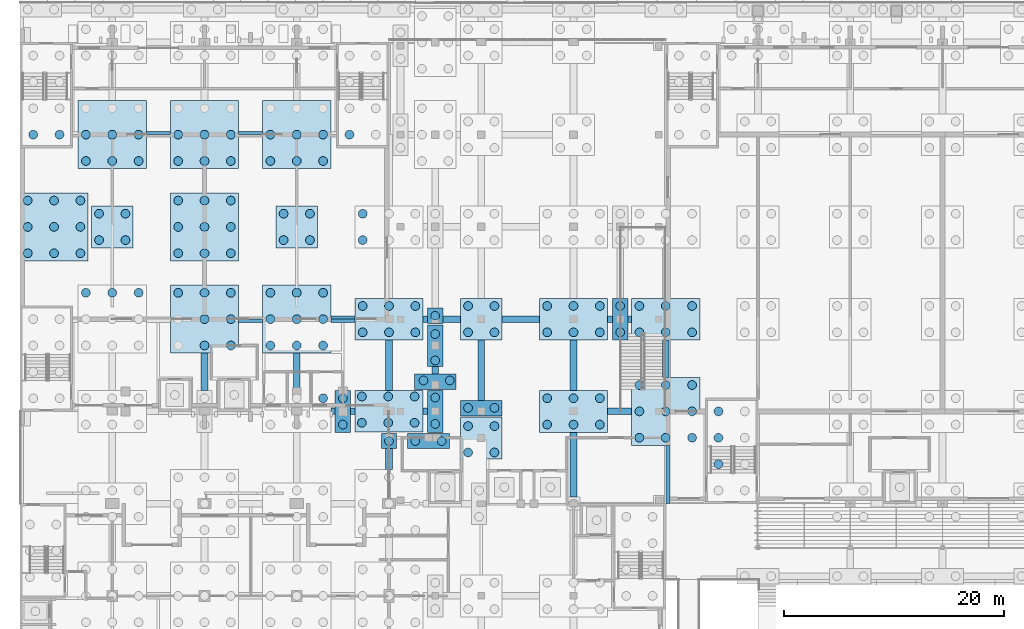
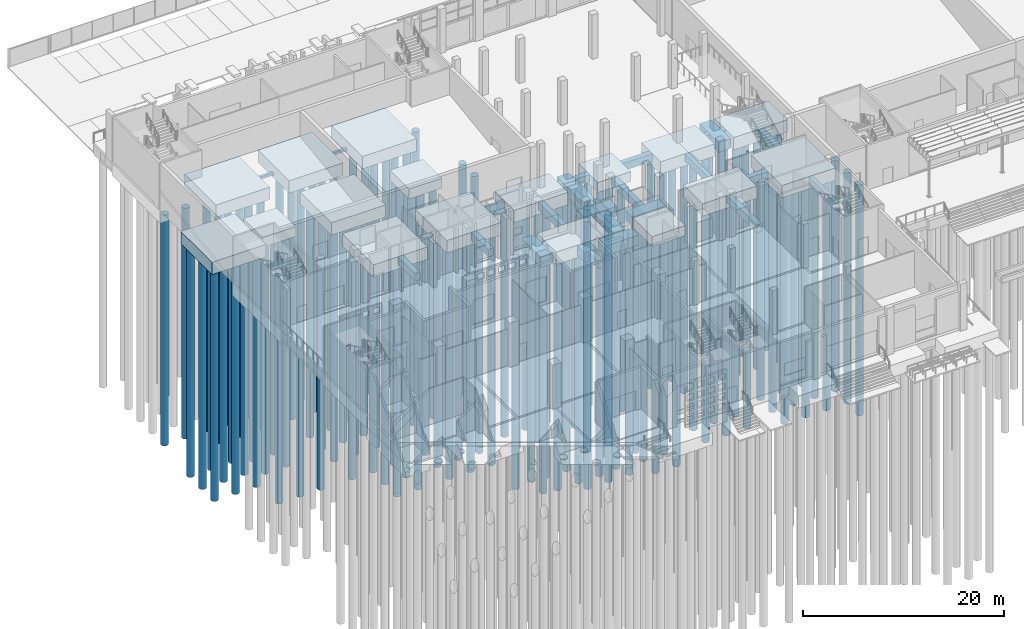
# One storey, part 3 of 129: 135 piles, 50 footings.
"""IFC4 building model written with IfcOpenShell, lengths in metres."""

from ifc_helpers import new_model, si_unit, direction, frame, origin, origin_2d, place, context, subcontext, project, spatial, rectangle, circle, extrude, material, material_profile, profile_set, type_object, element, save


model = new_model("IFC4")

# Units and contexts
model_context = context("Model", 3, precision=1e-05, world=origin(), true_north=direction((0.0, 1.0)))
body_context = subcontext(model_context, "Body", "Model", "MODEL_VIEW")
ifc_project = project(units=[si_unit("LENGTHUNIT", "METRE"), si_unit("AREAUNIT", "SQUARE_METRE"), si_unit("VOLUMEUNIT", "CUBIC_METRE"), si_unit("PLANEANGLEUNIT", "RADIAN"), si_unit("MASSUNIT", "GRAM", prefix="KILO")], contexts=[model_context])

# Site, building, storey
site_placement = place(None, origin())
site = spatial("IfcSite", under=ifc_project, at=site_placement, CompositionType="ELEMENT")
building_placement = place(site_placement, origin())
building = spatial("IfcBuilding", under=site, at=building_placement, Name="Kiln Court Media Centre", CompositionType="ELEMENT")
storey_placement = place(building_placement, origin())
storey = spatial("IfcBuildingStorey", under=building, at=storey_placement, Name="L00", CompositionType="ELEMENT", Elevation=0.0)

# Piles
ifc_material_1 = material(Name="Concrete C30/37", Category="concrete")
ifc_material_profile_1 = material_profile(ifc_material_1, circle(Radius=0.39990234375, at=origin_2d()), Name="PILE D800")
ifc_profile_set_1 = profile_set([ifc_material_profile_1], Name="Concrete C30/37")
pile_type_1 = type_object("IfcPileType", Name="Concrete C30/37 bored pile D800 cut-off -1.400 toe -29.400", PredefinedType="BORED", material=ifc_profile_set_1)
for number, where, z_axis, x_axis, name in (
    (1, (36.0, 30.89990234375, -1.39990234375), (0.0, 0.0, -1.0), (1.0, 0.0, 0.0), "L00-PI-1382"),
    (2, (38.39990234375, 30.89990234375, -1.39990234375), (0.0, 0.0, -1.0), (1.0, 0.0, 0.0), "L00-PI-1383"),
    (3, (33.60009765625, 30.90087890625, -1.39990234375), (0.0, 0.0, -1.0), (1.0, 0.0, 0.0), "L00-PI-1384"),
    (4, (40.800048828125, 29.861083984375, -1.39990234375), (0.0, 0.0, -1.0), (1.0, 0.0, 0.0), "L00-PI-1385"),
    (5, (43.199951171875, 29.861083984375, -1.39990234375), (0.0, 0.0, -1.0), (1.0, 0.0, 0.0), "L00-PI-1386"),
    (6, (40.800048828125, 32.260986328125, -1.39990234375), (0.0, 0.0, -1.0), (1.0, 0.0, 0.0), "L00-PI-1387"),
    (7, (43.199951171875, 32.260986328125, -1.39990234375), (0.0, 0.0, -1.0), (1.0, 0.0, 0.0), "L00-PI-1388"),
    (8, (29.39892578125, 32.39990234375, -1.39990234375), (0.0, 0.0, -1.0), (1.0, 0.0, 0.0), "L00-PI-1409"),
    (9, (29.39892578125, 34.800048828125, -1.39990234375), (0.0, 0.0, -1.0), (1.0, 0.0, 0.0), "L00-PI-1410"),
    (10, (37.801025390625, 32.4599609375, -1.39990234375), (0.0, 0.0, -1.0), (1.0, 0.0, 0.0), "L00-PI-1411"),
    (11, (37.801025390625, 34.860107421875, -1.39990234375), (0.0, 0.0, -1.0), (1.0, 0.0, 0.0), "L00-PI-1412"),
    (12, (40.800048828125, 33.919921875, -1.39990234375), (0.0, 0.0, -1.0), (1.0, 0.0, 0.0), "L00-PI-1458"),
    (13, (43.199951171875, 33.919921875, -1.39990234375), (0.0, 0.0, -1.0), (1.0, 0.0, 0.0), "L00-PI-1459"),
    (14, (36.739990234375, 36.419921875, -1.39990234375), (0.0, 0.0, -1.0), (1.0, 0.0, 0.0), "L00-PI-1462"),
    (15, (39.139892578125, 36.419921875, -1.39990234375), (0.0, 0.0, -1.0), (1.0, 0.0, 0.0), "L00-PI-1463"),
    (16, (37.800048828125, 38.239990234375, -1.39990234375), (0.0, 0.0, -1.0), (1.0, 0.0, 0.0), "L00-PI-1488"),
    (17, (37.800048828125, 40.639892578125, -1.39990234375), (0.0, 0.0, -1.0), (1.0, 0.0, 0.0), "L00-PI-1489"),
    (18, (40.800048828125, 40.800048828125, -1.39990234375), (0.0, 0.0, -1.0), (1.0, 0.0, 0.0), "L00-PI-1523"),
    (19, (43.199951171875, 40.800048828125, -1.39990234375), (0.0, 0.0, -1.0), (1.0, 0.0, 0.0), "L00-PI-1524"),
    (20, (40.800048828125, 43.199951171875, -1.39990234375), (0.0, 0.0, -1.0), (1.0, 0.0, 0.0), "L00-PI-1525"),
    (21, (43.199951171875, 43.199951171875, -1.39990234375), (0.0, 0.0, -1.0), (1.0, 0.0, 0.0), "L00-PI-1526"),
    (22, (54.65087890625, 40.800048828125, -1.39990234375), (0.0, 0.0, -1.0), (1.0, 0.0, 0.0), "L00-PI-1533"),
    (23, (54.65087890625, 43.199951171875, -1.39990234375), (0.0, 0.0, -1.0), (1.0, 0.0, 0.0), "L00-PI-1534"),
    (24, (37.801025390625, 42.300048828125, -1.39990234375), (0.0, 0.0, -1.0), (1.0, 0.0, 0.0), "L00-PI-1583"),
    (25, (7.199951171875, 49.199951171875, -1.39990234375), (0.0, 0.0, -1.0), (1.0, 0.0, 0.0), "L00-PI-1593"),
    (26, (9.60009765625, 49.199951171875, -1.39990234375), (0.0, 0.0, -1.0), (1.0, 0.0, 0.0), "L00-PI-1594"),
    (27, (7.199951171875, 51.60009765625, -1.39990234375), (0.0, 0.0, -1.0), (1.0, 0.0, 0.0), "L00-PI-1595"),
    (28, (9.60009765625, 51.60009765625, -1.39990234375), (0.0, 0.0, -1.0), (1.0, 0.0, 0.0), "L00-PI-1596"),
    (29, (24.0, 49.199951171875, -1.39990234375), (0.0, 0.0, -1.0), (1.0, 0.0, 0.0), "L00-PI-1606"),
    (30, (26.39990234375, 49.199951171875, -1.39990234375), (0.0, 0.0, -1.0), (1.0, 0.0, 0.0), "L00-PI-1607"),
    (31, (24.0, 51.60009765625, -1.39990234375), (0.0, 0.0, -1.0), (1.0, 0.0, 0.0), "L00-PI-1608"),
    (32, (26.39990234375, 51.60009765625, -1.39990234375), (0.0, 0.0, -1.0), (1.0, 0.0, 0.0), "L00-PI-1609"),
):
    element("IfcPile", number, at=place(storey_placement, frame(where, z_axis=z_axis, x_axis=x_axis)), inside=storey, type_object=pile_type_1, Name=name, PredefinedType="BORED", context=body_context, shape_type="SweptSolid", body=[
        extrude(circle(Radius=0.39990234375, at=origin_2d()), origin(), (0.0, 0.0, 1.0), 28.0),
    ])
ifc_material_2 = material(Name="Concrete C30/37", Category="concrete")
ifc_material_profile_2 = material_profile(ifc_material_2, circle(Radius=0.39990234375, at=origin_2d()), Name="PILE D800")
ifc_profile_set_2 = profile_set([ifc_material_profile_2], Name="Concrete C30/37")
pile_type_2 = type_object("IfcPileType", Name="Concrete C30/37 bored pile D800 cut-off -1.700 toe -29.700", PredefinedType="BORED", material=ifc_profile_set_2)
for number, where, z_axis, x_axis, name in (
    (33, (63.60009765625, 28.800048828125, -1.699951171875), (0.0, 0.0, -1.0), (1.0, 0.0, 0.0), "L00-PI-1368"),
    (34, (63.60009765625, 31.199951171875, -1.699951171875), (0.0, 0.0, -1.0), (1.0, 0.0, 0.0), "L00-PI-1370"),
    (35, (63.60009765625, 33.60009765625, -1.699951171875), (0.0, 0.0, -1.0), (1.0, 0.0, 0.0), "L00-PI-1372"),
    (36, (27.60009765625, 34.800048828125, -1.699951171875), (0.0, 0.0, -1.0), (1.0, 0.0, 0.0), "L00-PI-1408"),
    (37, (48.0, 32.39990234375, -1.699951171875), (0.0, 0.0, -1.0), (1.0, 0.0, 0.0), "L00-PI-1413"),
    (38, (50.39990234375, 32.39990234375, -1.699951171875), (0.0, 0.0, -1.0), (1.0, 0.0, 0.0), "L00-PI-1414"),
    (39, (52.800048828125, 32.39990234375, -1.699951171875), (0.0, 0.0, -1.0), (1.0, 0.0, 0.0), "L00-PI-1415"),
    (40, (48.0, 34.800048828125, -1.699951171875), (0.0, 0.0, -1.0), (1.0, 0.0, 0.0), "L00-PI-1416"),
    (41, (50.39990234375, 34.800048828125, -1.699951171875), (0.0, 0.0, -1.0), (1.0, 0.0, 0.0), "L00-PI-1417"),
    (42, (52.800048828125, 34.800048828125, -1.699951171875), (0.0, 0.0, -1.0), (1.0, 0.0, 0.0), "L00-PI-1418"),
    (43, (56.39990234375, 31.199951171875, -1.699951171875), (0.0, 0.0, -1.0), (1.0, 0.0, 0.0), "L00-PI-1419"),
    (44, (58.800048828125, 31.199951171875, -1.699951171875), (0.0, 0.0, -1.0), (1.0, 0.0, 0.0), "L00-PI-1420"),
    (45, (61.199951171875, 31.199951171875, -1.699951171875), (0.0, 0.0, -1.0), (1.0, 0.0, 0.0), "L00-PI-1421"),
    (46, (56.39990234375, 33.60009765625, -1.699951171875), (0.0, 0.0, -1.0), (1.0, 0.0, 0.0), "L00-PI-1422"),
    (47, (58.800048828125, 33.60009765625, -1.699951171875), (0.0, 0.0, -1.0), (1.0, 0.0, 0.0), "L00-PI-1423"),
    (48, (61.199951171875, 33.60009765625, -1.699951171875), (0.0, 0.0, -1.0), (1.0, 0.0, 0.0), "L00-PI-1424"),
    (49, (56.39990234375, 36.0, -1.699951171875), (0.0, 0.0, -1.0), (1.0, 0.0, 0.0), "L00-PI-1425"),
    (50, (58.800048828125, 36.0, -1.699951171875), (0.0, 0.0, -1.0), (1.0, 0.0, 0.0), "L00-PI-1426"),
    (51, (61.199951171875, 36.0, -1.699951171875), (0.0, 0.0, -1.0), (1.0, 0.0, 0.0), "L00-PI-1427"),
    (52, (31.1298828125, 32.56005859375, -1.699951171875), (0.0, 0.0, -1.0), (1.0, 0.0, 0.0), "L00-PI-1452"),
    (53, (33.530029296875, 32.56005859375, -1.699951171875), (0.0, 0.0, -1.0), (1.0, 0.0, 0.0), "L00-PI-1453"),
    (54, (35.929931640625, 32.56005859375, -1.699951171875), (0.0, 0.0, -1.0), (1.0, 0.0, 0.0), "L00-PI-1454"),
    (55, (31.1298828125, 34.9599609375, -1.699951171875), (0.0, 0.0, -1.0), (1.0, 0.0, 0.0), "L00-PI-1455"),
    (56, (33.530029296875, 34.9599609375, -1.699951171875), (0.0, 0.0, -1.0), (1.0, 0.0, 0.0), "L00-PI-1456"),
    (57, (35.929931640625, 34.9599609375, -1.699951171875), (0.0, 0.0, -1.0), (1.0, 0.0, 0.0), "L00-PI-1457"),
    (58, (6.0, 44.39990234375, -1.699951171875), (0.0, 0.0, -1.0), (1.0, 0.0, 0.0), "L00-PI-1496"),
    (59, (8.39990234375, 44.39990234375, -1.699951171875), (0.0, 0.0, -1.0), (1.0, 0.0, 0.0), "L00-PI-1497"),
    (60, (10.800048828125, 44.39990234375, -1.699951171875), (0.0, 0.0, -1.0), (1.0, 0.0, 0.0), "L00-PI-1498"),
    (61, (16.800048828125, 39.60009765625, -1.699951171875), (0.0, 0.0, -1.0), (1.0, 0.0, 0.0), "L00-PI-1500"),
    (62, (19.199951171875, 39.60009765625, -1.699951171875), (0.0, 0.0, -1.0), (1.0, 0.0, 0.0), "L00-PI-1501"),
    (63, (16.800048828125, 42.0, -1.699951171875), (0.0, 0.0, -1.0), (1.0, 0.0, 0.0), "L00-PI-1503"),
    (64, (19.199951171875, 42.0, -1.699951171875), (0.0, 0.0, -1.0), (1.0, 0.0, 0.0), "L00-PI-1504"),
    (65, (14.39990234375, 44.39990234375, -1.699951171875), (0.0, 0.0, -1.0), (1.0, 0.0, 0.0), "L00-PI-1505"),
    (66, (16.800048828125, 44.39990234375, -1.699951171875), (0.0, 0.0, -1.0), (1.0, 0.0, 0.0), "L00-PI-1506"),
    (67, (19.199951171875, 44.39990234375, -1.699951171875), (0.0, 0.0, -1.0), (1.0, 0.0, 0.0), "L00-PI-1507"),
    (68, (22.800048828125, 39.60009765625, -1.699951171875), (0.0, 0.0, -1.0), (1.0, 0.0, 0.0), "L00-PI-1508"),
    (69, (25.199951171875, 39.60009765625, -1.699951171875), (0.0, 0.0, -1.0), (1.0, 0.0, 0.0), "L00-PI-1509"),
    (70, (27.60009765625, 39.60009765625, -1.699951171875), (0.0, 0.0, -1.0), (1.0, 0.0, 0.0), "L00-PI-1510"),
    (71, (22.800048828125, 42.0, -1.699951171875), (0.0, 0.0, -1.0), (1.0, 0.0, 0.0), "L00-PI-1511"),
    (72, (25.199951171875, 42.0, -1.699951171875), (0.0, 0.0, -1.0), (1.0, 0.0, 0.0), "L00-PI-1512"),
    (73, (27.60009765625, 42.0, -1.699951171875), (0.0, 0.0, -1.0), (1.0, 0.0, 0.0), "L00-PI-1513"),
    (74, (22.800048828125, 44.39990234375, -1.699951171875), (0.0, 0.0, -1.0), (1.0, 0.0, 0.0), "L00-PI-1514"),
    (75, (25.199951171875, 44.39990234375, -1.699951171875), (0.0, 0.0, -1.0), (1.0, 0.0, 0.0), "L00-PI-1515"),
    (76, (27.60009765625, 44.39990234375, -1.699951171875), (0.0, 0.0, -1.0), (1.0, 0.0, 0.0), "L00-PI-1516"),
    (77, (31.199951171875, 40.800048828125, -1.699951171875), (0.0, 0.0, -1.0), (1.0, 0.0, 0.0), "L00-PI-1517"),
    (78, (33.60009765625, 40.800048828125, -1.699951171875), (0.0, 0.0, -1.0), (1.0, 0.0, 0.0), "L00-PI-1518"),
    (79, (36.0, 40.800048828125, -1.699951171875), (0.0, 0.0, -1.0), (1.0, 0.0, 0.0), "L00-PI-1519"),
    (80, (31.199951171875, 43.199951171875, -1.699951171875), (0.0, 0.0, -1.0), (1.0, 0.0, 0.0), "L00-PI-1520"),
    (81, (33.60009765625, 43.199951171875, -1.699951171875), (0.0, 0.0, -1.0), (1.0, 0.0, 0.0), "L00-PI-1521"),
    (82, (36.0, 43.199951171875, -1.699951171875), (0.0, 0.0, -1.0), (1.0, 0.0, 0.0), "L00-PI-1522"),
    (83, (48.0, 40.800048828125, -1.699951171875), (0.0, 0.0, -1.0), (1.0, 0.0, 0.0), "L00-PI-1527"),
    (84, (50.39990234375, 40.800048828125, -1.699951171875), (0.0, 0.0, -1.0), (1.0, 0.0, 0.0), "L00-PI-1528"),
    (85, (52.800048828125, 40.800048828125, -1.699951171875), (0.0, 0.0, -1.0), (1.0, 0.0, 0.0), "L00-PI-1529"),
    (86, (48.0, 43.199951171875, -1.699951171875), (0.0, 0.0, -1.0), (1.0, 0.0, 0.0), "L00-PI-1530"),
    (87, (50.39990234375, 43.199951171875, -1.699951171875), (0.0, 0.0, -1.0), (1.0, 0.0, 0.0), "L00-PI-1531"),
    (88, (52.800048828125, 43.199951171875, -1.699951171875), (0.0, 0.0, -1.0), (1.0, 0.0, 0.0), "L00-PI-1532"),
    (89, (56.39990234375, 40.800048828125, -1.699951171875), (0.0, 0.0, -1.0), (1.0, 0.0, 0.0), "L00-PI-1535"),
    (90, (58.800048828125, 40.800048828125, -1.699951171875), (0.0, 0.0, -1.0), (1.0, 0.0, 0.0), "L00-PI-1536"),
    (91, (61.199951171875, 40.800048828125, -1.699951171875), (0.0, 0.0, -1.0), (1.0, 0.0, 0.0), "L00-PI-1537"),
    (92, (56.39990234375, 43.199951171875, -1.699951171875), (0.0, 0.0, -1.0), (1.0, 0.0, 0.0), "L00-PI-1538"),
    (93, (58.800048828125, 43.199951171875, -1.699951171875), (0.0, 0.0, -1.0), (1.0, 0.0, 0.0), "L00-PI-1539"),
    (94, (61.199951171875, 43.199951171875, -1.699951171875), (0.0, 0.0, -1.0), (1.0, 0.0, 0.0), "L00-PI-1540"),
    (95, (0.699951171875, 48.0, -1.699951171875), (0.0, 0.0, -1.0), (1.0, 0.0, 0.0), "L00-PI-1584"),
    (96, (3.10009765625, 48.0, -1.699951171875), (0.0, 0.0, -1.0), (1.0, 0.0, 0.0), "L00-PI-1585"),
    (97, (5.5, 48.0, -1.699951171875), (0.0, 0.0, -1.0), (1.0, 0.0, 0.0), "L00-PI-1586"),
    (98, (0.699951171875, 50.39990234375, -1.699951171875), (0.0, 0.0, -1.0), (1.0, 0.0, 0.0), "L00-PI-1587"),
    (99, (3.10009765625, 50.39990234375, -1.699951171875), (0.0, 0.0, -1.0), (1.0, 0.0, 0.0), "L00-PI-1588"),
    (100, (5.5, 50.39990234375, -1.699951171875), (0.0, 0.0, -1.0), (1.0, 0.0, 0.0), "L00-PI-1589"),
    (101, (0.699951171875, 52.800048828125, -1.699951171875), (0.0, 0.0, -1.0), (1.0, 0.0, 0.0), "L00-PI-1590"),
    (102, (3.10009765625, 52.800048828125, -1.699951171875), (0.0, 0.0, -1.0), (1.0, 0.0, 0.0), "L00-PI-1591"),
    (103, (5.5, 52.800048828125, -1.699951171875), (0.0, 0.0, -1.0), (1.0, 0.0, 0.0), "L00-PI-1592"),
    (104, (14.39990234375, 48.0, -1.699951171875), (0.0, 0.0, -1.0), (1.0, 0.0, 0.0), "L00-PI-1597"),
    (105, (16.800048828125, 48.0, -1.699951171875), (0.0, 0.0, -1.0), (1.0, 0.0, 0.0), "L00-PI-1598"),
    (106, (19.199951171875, 48.0, -1.699951171875), (0.0, 0.0, -1.0), (1.0, 0.0, 0.0), "L00-PI-1599"),
    (107, (14.39990234375, 50.39990234375, -1.699951171875), (0.0, 0.0, -1.0), (1.0, 0.0, 0.0), "L00-PI-1600"),
    (108, (16.800048828125, 50.39990234375, -1.699951171875), (0.0, 0.0, -1.0), (1.0, 0.0, 0.0), "L00-PI-1601"),
    (109, (19.199951171875, 50.39990234375, -1.699951171875), (0.0, 0.0, -1.0), (1.0, 0.0, 0.0), "L00-PI-1602"),
    (110, (14.39990234375, 52.800048828125, -1.699951171875), (0.0, 0.0, -1.0), (1.0, 0.0, 0.0), "L00-PI-1603"),
    (111, (16.800048828125, 52.800048828125, -1.699951171875), (0.0, 0.0, -1.0), (1.0, 0.0, 0.0), "L00-PI-1604"),
    (112, (19.199951171875, 52.800048828125, -1.699951171875), (0.0, 0.0, -1.0), (1.0, 0.0, 0.0), "L00-PI-1605"),
    (113, (31.199951171875, 49.199951171875, -1.699951171875), (0.0, 0.0, -1.0), (1.0, 0.0, 0.0), "L00-PI-1610"),
    (114, (31.199951171875, 51.60009765625, -1.699951171875), (0.0, 0.0, -1.0), (1.0, 0.0, 0.0), "L00-PI-1613"),
    (115, (6.0, 56.39990234375, -1.699951171875), (0.0, 0.0, -1.0), (1.0, 0.0, 0.0), "L00-PI-1684"),
    (116, (8.39990234375, 56.39990234375, -1.699951171875), (0.0, 0.0, -1.0), (1.0, 0.0, 0.0), "L00-PI-1685"),
    (117, (10.800048828125, 56.39990234375, -1.699951171875), (0.0, 0.0, -1.0), (1.0, 0.0, 0.0), "L00-PI-1686"),
    (118, (6.0, 58.800048828125, -1.699951171875), (0.0, 0.0, -1.0), (1.0, 0.0, 0.0), "L00-PI-1687"),
    (119, (8.39990234375, 58.800048828125, -1.699951171875), (0.0, 0.0, -1.0), (1.0, 0.0, 0.0), "L00-PI-1688"),
    (120, (10.800048828125, 58.800048828125, -1.699951171875), (0.0, 0.0, -1.0), (1.0, 0.0, 0.0), "L00-PI-1689"),
    (121, (14.39990234375, 56.39990234375, -1.699951171875), (0.0, 0.0, -1.0), (1.0, 0.0, 0.0), "L00-PI-1693"),
    (122, (16.800048828125, 56.39990234375, -1.699951171875), (0.0, 0.0, -1.0), (1.0, 0.0, 0.0), "L00-PI-1694"),
    (123, (19.199951171875, 56.39990234375, -1.699951171875), (0.0, 0.0, -1.0), (1.0, 0.0, 0.0), "L00-PI-1695"),
    (124, (14.39990234375, 58.800048828125, -1.699951171875), (0.0, 0.0, -1.0), (1.0, 0.0, 0.0), "L00-PI-1696"),
    (125, (16.800048828125, 58.800048828125, -1.699951171875), (0.0, 0.0, -1.0), (1.0, 0.0, 0.0), "L00-PI-1697"),
    (126, (19.199951171875, 58.800048828125, -1.699951171875), (0.0, 0.0, -1.0), (1.0, 0.0, 0.0), "L00-PI-1698"),
    (127, (22.800048828125, 56.39990234375, -1.699951171875), (0.0, 0.0, -1.0), (1.0, 0.0, 0.0), "L00-PI-1702"),
    (128, (25.199951171875, 56.39990234375, -1.699951171875), (0.0, 0.0, -1.0), (1.0, 0.0, 0.0), "L00-PI-1703"),
    (129, (27.60009765625, 56.39990234375, -1.699951171875), (0.0, 0.0, -1.0), (1.0, 0.0, 0.0), "L00-PI-1704"),
    (130, (22.800048828125, 58.800048828125, -1.699951171875), (0.0, 0.0, -1.0), (1.0, 0.0, 0.0), "L00-PI-1705"),
    (131, (25.199951171875, 58.800048828125, -1.699951171875), (0.0, 0.0, -1.0), (1.0, 0.0, 0.0), "L00-PI-1706"),
    (132, (27.60009765625, 58.800048828125, -1.699951171875), (0.0, 0.0, -1.0), (1.0, 0.0, 0.0), "L00-PI-1707"),
    (133, (1.199951171875, 58.800048828125, -1.699951171875), (0.0, 0.0, -1.0), (1.0, 0.0, 0.0), "L00-PI-1769"),
    (134, (3.60009765625, 58.800048828125, -1.699951171875), (0.0, 0.0, -1.0), (1.0, 0.0, 0.0), "L00-PI-1770"),
    (135, (30.0, 58.800048828125, -1.699951171875), (0.0, 0.0, -1.0), (1.0, 0.0, 0.0), "L00-PI-1777"),
):
    element("IfcPile", number, at=place(storey_placement, frame(where, z_axis=z_axis, x_axis=x_axis)), inside=storey, type_object=pile_type_2, Name=name, PredefinedType="BORED", context=body_context, shape_type="SweptSolid", body=[
        extrude(circle(Radius=0.39990234375, at=origin_2d()), origin(), (0.0, 0.0, 1.0), 28.0),
    ])

# Footings
ifc_material_3 = material(Name="Concrete C30/37", Category="concrete")
footing_type_1 = type_object("IfcFootingType", Name="Concrete C30/37 ground beam 600x900", PredefinedType="STRIP_FOOTING", material=ifc_material_3)
footing_1_placement = place(storey_placement, frame((33.60009765625, 29.25048828125, -1.199951171875), z_axis=(0.0, 0.0, 1.0), x_axis=(1.0, 0.0, 0.0)))
element("IfcFooting", 136, at=footing_1_placement, inside=storey, type_object=footing_type_1, Name="L00-FT-1300", PredefinedType="STRIP_FOOTING", context=body_context, shape_type="SweptSolid", body=[
    extrude(rectangle(XDim=0.60009765625, YDim=1.90087890625, at=origin_2d()), origin(), (0.0, 0.0, 1.0), 0.89990234375),
])
footing_2_placement = place(storey_placement, frame((50.39990234375, 28.75, -1.199951171875), z_axis=(0.0, 0.0, 1.0), x_axis=(1.0, 0.0, 0.0)))
element("IfcFooting", 137, at=footing_2_placement, inside=storey, type_object=footing_type_1, Name="L00-FT-1301", PredefinedType="STRIP_FOOTING", context=body_context, shape_type="SweptSolid", body=[
    extrude(rectangle(XDim=0.60009765625, YDim=5.89990234375, at=origin_2d()), origin(), (0.0, 0.0, 1.0), 0.89990234375),
])
footing_3_placement = place(storey_placement, frame((28.49951171875, 33.60009765625, -1.199951171875), z_axis=(0.0, 0.0, 1.0), x_axis=(1.0, 0.0, 0.0)))
element("IfcFooting", 138, at=footing_3_placement, inside=storey, type_object=footing_type_1, Name="L00-FT-1314", PredefinedType="STRIP_FOOTING", context=body_context, shape_type="SweptSolid", body=[
    extrude(rectangle(XDim=0.39892578125, YDim=0.60009765625, at=origin_2d()), origin(), (0.0, 0.0, 1.0), 0.89990234375),
])
for number, where, z_axis, x_axis, name in (
    (139, (30.299560546875, 33.60009765625, -1.199951171875), (0.0, 0.0, 1.0), (1.0, 0.0, 0.0), "L00-FT-1315"),
    (140, (36.900390625, 33.60009765625, -1.199951171875), (0.0, 0.0, 1.0), (1.0, 0.0, 0.0), "L00-FT-1316"),
):
    element("IfcFooting", number, at=place(storey_placement, frame(where, z_axis=z_axis, x_axis=x_axis)), inside=storey, type_object=footing_type_1, Name=name, PredefinedType="STRIP_FOOTING", context=body_context, shape_type="SweptSolid", body=[
        extrude(rectangle(XDim=0.40087890625, YDim=0.60009765625, at=origin_2d()), origin(), (0.0, 0.0, 1.0), 0.89990234375),
    ])
footing_4_placement = place(storey_placement, frame((54.60009765625, 33.60009765625, -1.199951171875), z_axis=(0.0, 0.0, 1.0), x_axis=(1.0, 0.0, 0.0)))
element("IfcFooting", 141, at=footing_4_placement, inside=storey, type_object=footing_type_1, Name="L00-FT-1317", PredefinedType="STRIP_FOOTING", context=body_context, shape_type="SweptSolid", body=[
    extrude(rectangle(XDim=2.199951171875, YDim=0.60009765625, at=origin_2d()), origin(), (0.0, 0.0, 1.0), 0.89990234375),
])
for number, where, z_axis, x_axis, name in (
    (142, (16.800048828125, 37.199951171875, -1.199951171875), (0.0, 0.0, 1.0), (1.0, 0.0, 0.0), "L00-FT-1321"),
    (143, (25.199951171875, 37.199951171875, -1.199951171875), (0.0, 0.0, 1.0), (1.0, 0.0, 0.0), "L00-FT-1322"),
):
    element("IfcFooting", number, at=place(storey_placement, frame(where, z_axis=z_axis, x_axis=x_axis)), inside=storey, type_object=footing_type_1, Name=name, PredefinedType="STRIP_FOOTING", context=body_context, shape_type="SweptSolid", body=[
        extrude(rectangle(XDim=0.60009765625, YDim=3.39990234375, at=origin_2d()), origin(), (0.0, 0.0, 1.0), 0.89990234375),
    ])
footing_5_placement = place(storey_placement, frame((50.39990234375, 37.800048828125, -1.199951171875), z_axis=(0.0, 0.0, 1.0), x_axis=(1.0, 0.0, 0.0)))
element("IfcFooting", 144, at=footing_5_placement, inside=storey, type_object=footing_type_1, Name="L00-FT-1323", PredefinedType="STRIP_FOOTING", context=body_context, shape_type="SweptSolid", body=[
    extrude(rectangle(XDim=0.60009765625, YDim=4.60009765625, at=origin_2d()), origin(), (0.0, 0.0, 1.0), 0.89990234375),
])
footing_6_placement = place(storey_placement, frame((58.800048828125, 38.39990234375, -1.199951171875), z_axis=(0.0, 0.0, 1.0), x_axis=(1.0, 0.0, 0.0)))
element("IfcFooting", 145, at=footing_6_placement, inside=storey, type_object=footing_type_1, Name="L00-FT-1324", PredefinedType="STRIP_FOOTING", context=body_context, shape_type="SweptSolid", body=[
    extrude(rectangle(XDim=0.60009765625, YDim=3.39990234375, at=origin_2d()), origin(), (0.0, 0.0, 1.0), 0.89990234375),
])
footing_7_placement = place(storey_placement, frame((33.60009765625, 37.81005859375, -1.199951171875), z_axis=(0.0, 0.0, 1.0), x_axis=(1.0, 0.0, 0.0)))
element("IfcFooting", 146, at=footing_7_placement, inside=storey, type_object=footing_type_1, Name="L00-FT-1328", PredefinedType="STRIP_FOOTING", context=body_context, shape_type="SweptSolid", body=[
    extrude(rectangle(XDim=0.60009765625, YDim=4.580078125, at=origin_2d()), origin(), (0.0, 0.0, 1.0), 0.89990234375),
])
footing_8_placement = place(storey_placement, frame((42.0, 37.35009765625, -1.199951171875), z_axis=(0.0, 0.0, 1.0), x_axis=(1.0, 0.0, 0.0)))
element("IfcFooting", 147, at=footing_8_placement, inside=storey, type_object=footing_type_1, Name="L00-FT-1329", PredefinedType="STRIP_FOOTING", context=body_context, shape_type="SweptSolid", body=[
    extrude(rectangle(XDim=0.60009765625, YDim=5.5, at=origin_2d()), origin(), (0.0, 0.0, 1.0), 0.89990234375),
])
footing_9_placement = place(storey_placement, frame((37.800048828125, 37.340087890625, -1.199951171875), z_axis=(0.0, 0.0, 1.0), x_axis=(1.0, 0.0, 0.0)))
element("IfcFooting", 148, at=footing_9_placement, inside=storey, type_object=footing_type_1, Name="L00-FT-1330", PredefinedType="STRIP_FOOTING", context=body_context, shape_type="SweptSolid", body=[
    extrude(rectangle(XDim=0.60009765625, YDim=0.679931640625, at=origin_2d()), origin(), (0.0, 0.0, 1.0), 0.89990234375),
])
footing_10_placement = place(storey_placement, frame((29.39990234375, 42.14990234375, -1.199951171875), z_axis=(0.0, 0.0, 1.0), x_axis=(1.0, 0.0, 0.0)))
element("IfcFooting", 149, at=footing_10_placement, inside=storey, type_object=footing_type_1, Name="L00-FT-1331", PredefinedType="STRIP_FOOTING", context=body_context, shape_type="SweptSolid", body=[
    extrude(rectangle(XDim=2.199951171875, YDim=0.300048828125, at=origin_2d()), origin(), (0.0, 0.0, 1.0), 0.89990234375),
])
footing_11_placement = place(storey_placement, frame((36.900390625, 42.0, -1.199951171875), z_axis=(0.0, 0.0, 1.0), x_axis=(1.0, 0.0, 0.0)))
element("IfcFooting", 150, at=footing_11_placement, inside=storey, type_object=footing_type_1, Name="L00-FT-1332", PredefinedType="STRIP_FOOTING", context=body_context, shape_type="SweptSolid", body=[
    extrude(rectangle(XDim=0.40087890625, YDim=0.60009765625, at=origin_2d()), origin(), (0.0, 0.0, 1.0), 0.89990234375),
])
footing_12_placement = place(storey_placement, frame((39.300537109375, 42.0, -1.199951171875), z_axis=(0.0, 0.0, 1.0), x_axis=(1.0, 0.0, 0.0)))
element("IfcFooting", 151, at=footing_12_placement, inside=storey, type_object=footing_type_1, Name="L00-FT-1333", PredefinedType="STRIP_FOOTING", context=body_context, shape_type="SweptSolid", body=[
    extrude(rectangle(XDim=1.59912109375, YDim=0.60009765625, at=origin_2d()), origin(), (0.0, 0.0, 1.0), 0.89990234375),
])
footing_13_placement = place(storey_placement, frame((45.60009765625, 42.0, -1.199951171875), z_axis=(0.0, 0.0, 1.0), x_axis=(1.0, 0.0, 0.0)))
element("IfcFooting", 152, at=footing_13_placement, inside=storey, type_object=footing_type_1, Name="L00-FT-1334", PredefinedType="STRIP_FOOTING", context=body_context, shape_type="SweptSolid", body=[
    extrude(rectangle(XDim=3.39990234375, YDim=0.60009765625, at=origin_2d()), origin(), (0.0, 0.0, 1.0), 0.89990234375),
])
footing_14_placement = place(storey_placement, frame((53.7255859375, 42.0, -1.199951171875), z_axis=(0.0, 0.0, 1.0), x_axis=(1.0, 0.0, 0.0)))
element("IfcFooting", 153, at=footing_14_placement, inside=storey, type_object=footing_type_1, Name="L00-FT-1335", PredefinedType="STRIP_FOOTING", context=body_context, shape_type="SweptSolid", body=[
    extrude(rectangle(XDim=0.450927734375, YDim=0.60009765625, at=origin_2d()), origin(), (0.0, 0.0, 1.0), 0.89990234375),
])
footing_15_placement = place(storey_placement, frame((55.525390625, 42.0, -1.199951171875), z_axis=(0.0, 0.0, 1.0), x_axis=(1.0, 0.0, 0.0)))
element("IfcFooting", 154, at=footing_15_placement, inside=storey, type_object=footing_type_1, Name="L00-FT-1336", PredefinedType="STRIP_FOOTING", context=body_context, shape_type="SweptSolid", body=[
    extrude(rectangle(XDim=0.34912109375, YDim=0.60009765625, at=origin_2d()), origin(), (0.0, 0.0, 1.0), 0.89990234375),
])
ifc_material_4 = material(Name="Concrete C30/37", Category="concrete")
footing_type_2 = type_object("IfcFootingType", Name="Concrete C30/37 pile cap 1400x1400x1200", PredefinedType="PILE_CAP", material=ifc_material_4)
for number, where, z_axis, x_axis, name in (
    (155, (33.60009765625, 30.90087890625, -1.5), (0.0, 0.0, 1.0), (1.0, 0.0, 0.0), "L00-FT-1091"),
    (156, (37.801025390625, 42.300048828125, -1.5), (0.0, 0.0, 1.0), (1.0, 0.0, 0.0), "L00-FT-1139"),
):
    element("IfcFooting", number, at=place(storey_placement, frame(where, z_axis=z_axis, x_axis=x_axis)), inside=storey, type_object=footing_type_2, Name=name, PredefinedType="PILE_CAP", context=body_context, shape_type="SweptSolid", body=[
        extrude(rectangle(XDim=1.39990234375, YDim=1.39990234375, at=origin_2d()), origin(), (0.0, 0.0, 1.0), 1.199951171875),
    ])
ifc_material_5 = material(Name="Concrete C30/37", Category="concrete")
footing_type_3 = type_object("IfcFootingType", Name="Concrete C30/37 pile cap 1400x3800x1200", PredefinedType="PILE_CAP", material=ifc_material_5)
for number, where, z_axis, x_axis, name in (
    (157, (29.39892578125, 33.60009765625, -1.5), (0.0, 0.0, 1.0), (1.0, 0.0, 0.0), "L00-FT-1099"),
    (158, (37.801025390625, 33.60009765625, -1.5), (0.0, 0.0, 1.0), (1.0, 0.0, 0.0), "L00-FT-1100"),
    (159, (37.800048828125, 39.580078125, -1.5), (0.0, 0.0, 1.0), (1.0, 0.0, 0.0), "L00-FT-1118"),
    (160, (54.65087890625, 42.0, -1.5), (0.0, 0.0, 1.0), (1.0, 0.0, 0.0), "L00-FT-1125"),
):
    element("IfcFooting", number, at=place(storey_placement, frame(where, z_axis=z_axis, x_axis=x_axis)), inside=storey, type_object=footing_type_3, Name=name, PredefinedType="PILE_CAP", context=body_context, shape_type="SweptSolid", body=[
        extrude(rectangle(XDim=1.39990234375, YDim=3.800048828125, at=origin_2d()), origin(), (0.0, 0.0, 1.0), 1.199951171875),
    ])
ifc_material_6 = material(Name="Concrete C30/37", Category="concrete")
footing_type_4 = type_object("IfcFootingType", Name="Concrete C30/37 pile cap 3800x1400x1200", PredefinedType="PILE_CAP", material=ifc_material_6)
for number, where, z_axis, x_axis, name in (
    (161, (37.199951171875, 30.89990234375, -1.5), (0.0, 0.0, 1.0), (1.0, 0.0, 0.0), "L00-FT-1090"),
    (162, (42.0, 33.89990234375, -1.5), (0.0, 0.0, 1.0), (1.0, 0.0, 0.0), "L00-FT-1111"),
    (163, (37.800048828125, 36.300048828125, -1.5), (0.0, 0.0, 1.0), (1.0, 0.0, 0.0), "L00-FT-1114"),
):
    element("IfcFooting", number, at=place(storey_placement, frame(where, z_axis=z_axis, x_axis=x_axis)), inside=storey, type_object=footing_type_4, Name=name, PredefinedType="PILE_CAP", context=body_context, shape_type="SweptSolid", body=[
        extrude(rectangle(XDim=3.800048828125, YDim=1.39990234375, at=origin_2d()), origin(), (0.0, 0.0, 1.0), 1.199951171875),
    ])
ifc_material_7 = material(Name="Concrete C30/37", Category="concrete")
footing_type_5 = type_object("IfcFootingType", Name="Concrete C30/37 pile cap 3800x3800x1200", PredefinedType="PILE_CAP", material=ifc_material_7)
for number, where, z_axis, x_axis, name in (
    (164, (42.0, 31.180908203125, -1.5), (0.0, 0.0, 1.0), (1.0, 0.0, 0.0), "L00-FT-1092"),
    (165, (42.0, 42.0, -1.5), (0.0, 0.0, 1.0), (1.0, 0.0, 0.0), "L00-FT-1123"),
    (166, (8.39990234375, 50.39990234375, -1.5), (0.0, 0.0, 1.0), (1.0, 0.0, 0.0), "L00-FT-1141"),
    (167, (25.199951171875, 50.39990234375, -1.5), (0.0, 0.0, 1.0), (1.0, 0.0, 0.0), "L00-FT-1143"),
):
    element("IfcFooting", number, at=place(storey_placement, frame(where, z_axis=z_axis, x_axis=x_axis)), inside=storey, type_object=footing_type_5, Name=name, PredefinedType="PILE_CAP", context=body_context, shape_type="SweptSolid", body=[
        extrude(rectangle(XDim=3.800048828125, YDim=3.800048828125, at=origin_2d()), origin(), (0.0, 0.0, 1.0), 1.199951171875),
    ])
ifc_material_8 = material(Name="Concrete C30/37", Category="concrete")
footing_type_6 = type_object("IfcFootingType", Name="Concrete C30/37 pile cap 6200x3800x1500", PredefinedType="PILE_CAP", material=ifc_material_8)
for number, where, z_axis, x_axis, name in (
    (168, (50.39990234375, 33.60009765625, -1.800048828125), (0.0, 0.0, 1.0), (1.0, 0.0, 0.0), "L00-FT-1101"),
    (169, (33.60009765625, 33.6201171875, -1.800048828125), (0.0, 0.0, 1.0), (1.0, 0.0, 0.0), "L00-FT-1110"),
    (170, (33.60009765625, 42.0, -1.800048828125), (0.0, 0.0, 1.0), (1.0, 0.0, 0.0), "L00-FT-1122"),
    (171, (50.39990234375, 42.0, -1.800048828125), (0.0, 0.0, 1.0), (1.0, 0.0, 0.0), "L00-FT-1124"),
    (172, (58.800048828125, 42.0, -1.800048828125), (0.0, 0.0, 1.0), (1.0, 0.0, 0.0), "L00-FT-1126"),
):
    element("IfcFooting", number, at=place(storey_placement, frame(where, z_axis=z_axis, x_axis=x_axis)), inside=storey, type_object=footing_type_6, Name=name, PredefinedType="PILE_CAP", context=body_context, shape_type="SweptSolid", body=[
        extrude(rectangle(XDim=6.199951171875, YDim=3.800048828125, at=origin_2d()), origin(), (0.0, 0.0, 1.0), 1.5),
    ])
ifc_material_9 = material(Name="Concrete C30/37", Category="concrete")
footing_type_7 = type_object("IfcFootingType", Name="Concrete C30/37 pile cap 6200x6200x1500", PredefinedType="PILE_CAP", material=ifc_material_9)
for number, where, z_axis, x_axis, name in (
    (173, (58.800048828125, 33.60009765625, -1.800048828125), (0.0, 0.0, 1.0), (1.0, 0.0, 0.0), "L00-FT-1102"),
    (174, (16.800048828125, 42.0, -1.800048828125), (0.0, 0.0, 1.0), (1.0, 0.0, 0.0), "L00-FT-1120"),
    (175, (25.199951171875, 42.0, -1.800048828125), (0.0, 0.0, 1.0), (1.0, 0.0, 0.0), "L00-FT-1121"),
    (176, (3.100341796875, 50.39990234375, -1.800048828125), (0.0, 0.0, 1.0), (1.0, 0.0, 0.0), "L00-FT-1140"),
    (177, (16.800048828125, 50.39990234375, -1.800048828125), (0.0, 0.0, 1.0), (1.0, 0.0, 0.0), "L00-FT-1142"),
    (178, (8.39990234375, 58.800048828125, -1.800048828125), (0.0, 0.0, 1.0), (1.0, 0.0, 0.0), "L00-FT-1163"),
    (179, (16.800048828125, 58.800048828125, -1.800048828125), (0.0, 0.0, 1.0), (1.0, 0.0, 0.0), "L00-FT-1164"),
    (180, (25.199951171875, 58.800048828125, -1.800048828125), (0.0, 0.0, 1.0), (1.0, 0.0, 0.0), "L00-FT-1165"),
):
    element("IfcFooting", number, at=place(storey_placement, frame(where, z_axis=z_axis, x_axis=x_axis)), inside=storey, type_object=footing_type_7, Name=name, PredefinedType="PILE_CAP", context=body_context, shape_type="SweptSolid", body=[
        extrude(rectangle(XDim=6.199951171875, YDim=6.199951171875, at=origin_2d()), origin(), (0.0, 0.0, 1.0), 1.5),
    ])
ifc_material_10 = material(Name="Concrete C30/37", Category="concrete")
footing_type_8 = type_object("IfcFootingType", Name="Concrete C30/37 wall footing 300x300", PredefinedType="STRIP_FOOTING", material=ifc_material_10)
for number, where, z_axis, x_axis, name in (
    (181, (12.60009765625, 58.949951171875, -1.5), (0.0, 0.0, 1.0), (1.0, 0.0, 0.0), "L00-FT-1511"),
    (182, (21.0, 58.949951171875, -1.5), (0.0, 0.0, 1.0), (1.0, 0.0, 0.0), "L00-FT-1512"),
    (183, (21.0, 41.85009765625, -1.5), (0.0, 0.0, 1.0), (1.0, 0.0, 0.0), "L00-FT-1518"),
    (184, (29.39990234375, 41.85009765625, -1.5), (0.0, 0.0, 1.0), (1.0, 0.0, 0.0), "L00-FT-1519"),
):
    element("IfcFooting", number, at=place(storey_placement, frame(where, z_axis=z_axis, x_axis=x_axis)), inside=storey, type_object=footing_type_8, Name=name, PredefinedType="STRIP_FOOTING", context=body_context, shape_type="SweptSolid", body=[
        extrude(rectangle(XDim=2.199951171875, YDim=0.300048828125, at=origin_2d()), origin(), (0.0, 0.0, 1.0), 0.300048828125),
    ])
ifc_material_11 = material(Name="Concrete C30/37", Category="concrete")
footing_type_9 = type_object("IfcFootingType", Name="Concrete C30/37 wall footing 400x900", PredefinedType="STRIP_FOOTING", material=ifc_material_11)
footing_16_placement = place(storey_placement, frame((59.0, 27.85009765625, -1.199951171875), z_axis=(0.0, 0.0, 1.0), x_axis=(1.0, 0.0, 0.0)))
element("IfcFooting", 185, at=footing_16_placement, inside=storey, type_object=footing_type_9, Name="L00-FT-1452", PredefinedType="STRIP_FOOTING", context=body_context, shape_type="SweptSolid", body=[
    extrude(rectangle(XDim=0.39990234375, YDim=5.300048828125, at=origin_2d()), origin(), (0.0, 0.0, 1.0), 0.89990234375),
])

save(model, "model.ifc")
